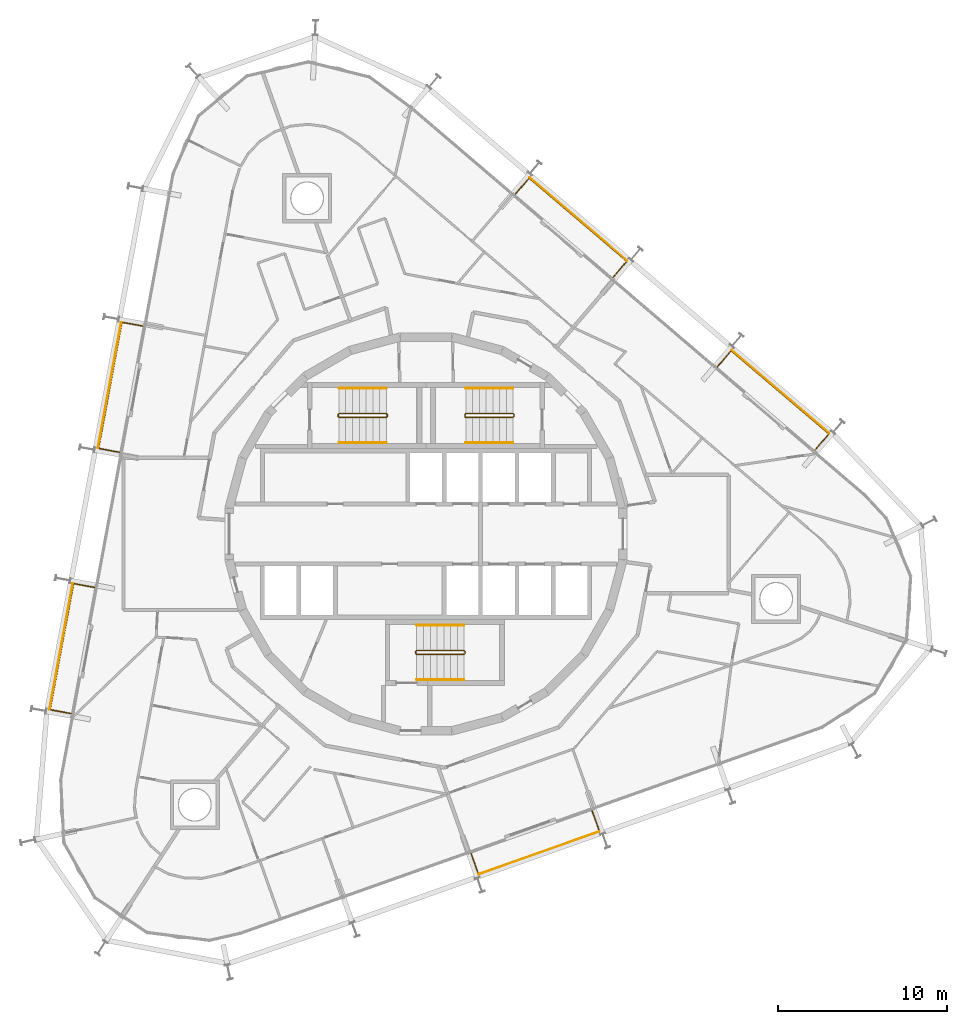
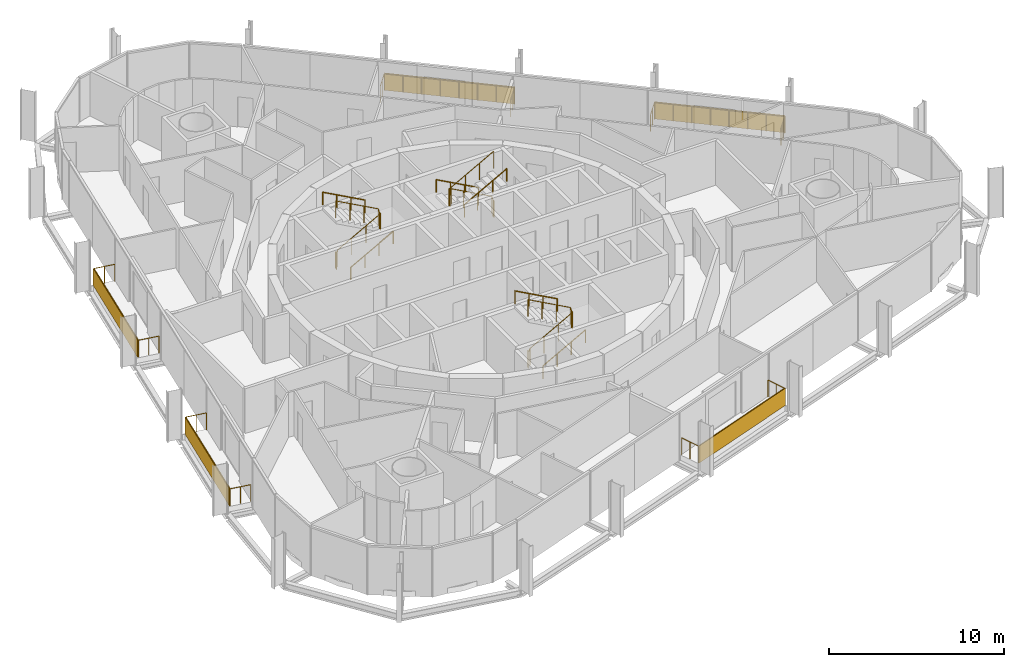
# One storey, part 17 of 17: 14 railings, 5 shading devices.
"""IFC4 building model written with IfcOpenShell, lengths in metres."""

import ifcopenshell
import ifcopenshell.guid

model = None  # the IFC model being written
_history = None  # IfcOwnerHistory: only IFC2X3 demands one
_inside = {}  # id of a spatial element -> (the spatial element, [elements in it])
_under = {}  # id of a project, library or spatial element -> (it, [spatial elements below it])
_declared = {}  # id of a project -> (the project, [libraries it declares])
_typed = {}  # id of a type object -> (the type object, [elements of that type])
_made_of = {}  # id of a material, layer set ... -> (it, [elements and type objects made of it])


def new_model(schema):
    """Start an empty IFC model of exactly this schema.

    Asked for "IFC4X3", IfcOpenShell would pick the latest addendum, in which some entities
    have other attributes; the version numbers below select the first issue.
    IFC2X3 requires an IfcOwnerHistory on every rooted entity: one is made here for all.
    """
    global model, _history
    if schema == "IFC4X3":
        model = ifcopenshell.file(schema_version=(4, 3, 0, 0))
    else:
        model = ifcopenshell.file(schema=schema)
    _inside.clear()
    _under.clear()
    _declared.clear()
    _typed.clear()
    _made_of.clear()
    _history = None
    if model.schema == "IFC2X3":
        org = make("IfcOrganization", Name="unknown")
        user = make(
            "IfcPersonAndOrganization",
            ThePerson=make("IfcPerson", FamilyName="unknown"),
            TheOrganization=org,
        )
        app = make(
            "IfcApplication",
            ApplicationDeveloper=org,
            Version="unknown",
            ApplicationFullName="unknown",
            ApplicationIdentifier="unknown",
        )
        _history = make(
            "IfcOwnerHistory",
            OwningUser=user,
            OwningApplication=app,
            ChangeAction="ADDED",
            CreationDate=0,
        )
    return model


def make(cls, **values):
    """One entity of the class cls with the attributes given. An attribute that is None is left unset."""
    return model.create_entity(
        cls, **{name: value for name, value in values.items() if value is not None}
    )


def rooted(cls, **values):
    """An entity with a GlobalId (a new one), such as an element, a storey or a relation."""
    return make(cls, GlobalId=ifcopenshell.guid.new(), OwnerHistory=_history, **values)


def si_unit(unit_type, name, prefix=None):
    """IfcSIUnit, for example si_unit("LENGTHUNIT", "METRE", prefix="MILLI")."""
    return make("IfcSIUnit", UnitType=unit_type, Prefix=prefix, Name=name)


def assignment(units):
    """IfcUnitAssignment: the units of a project."""
    return None if units is None else make("IfcUnitAssignment", Units=units)


def point(xyz):
    """IfcCartesianPoint."""
    return None if xyz is None else make("IfcCartesianPoint", Coordinates=xyz)


def direction(xyz):
    """IfcDirection."""
    return None if xyz is None else make("IfcDirection", DirectionRatios=xyz)


def frame(location, z_axis=None, x_axis=None):
    """IfcAxis2Placement3D, a coordinate frame: its origin and axes. An axis left out is left unset."""
    return make(
        "IfcAxis2Placement3D",
        Location=point(location),
        Axis=direction(z_axis),
        RefDirection=direction(x_axis),
    )


def frame_2d(location, x_axis=None):
    """IfcAxis2Placement2D, a coordinate frame in the plane: its origin and x axis."""
    return make(
        "IfcAxis2Placement2D", Location=point(location), RefDirection=direction(x_axis)
    )


def origin():
    """The frame at (0, 0, 0) with its axes left unset."""
    return frame((0.0, 0.0, 0.0))


def origin_2d():
    """The frame at (0, 0) in the plane with its x axis left unset."""
    return frame_2d((0.0, 0.0))


def place(relative_to, where):
    """IfcLocalPlacement: puts the frame where relative to a parent placement (None: the world)."""
    return make(
        "IfcLocalPlacement", PlacementRelTo=relative_to, RelativePlacement=where
    )


def context(
    kind, dimensions, precision=None, world=None, true_north=None, identifier=None
):
    """IfcGeometricRepresentationContext, for example the 3D "Model" context."""
    return make(
        "IfcGeometricRepresentationContext",
        ContextIdentifier=identifier,
        ContextType=kind,
        CoordinateSpaceDimension=dimensions,
        Precision=precision,
        WorldCoordinateSystem=world,
        TrueNorth=true_north,
    )


def subcontext(parent, identifier, kind, view, scale=None):
    """IfcGeometricRepresentationSubContext, for example "Body" below "Model"."""
    return make(
        "IfcGeometricRepresentationSubContext",
        ContextIdentifier=identifier,
        ContextType=kind,
        ParentContext=parent,
        TargetScale=scale,
        TargetView=view,
    )


def project(units=None, contexts=None):
    """IfcProject with its units and contexts."""
    return rooted(
        "IfcProject",
        Name="project",
        RepresentationContexts=contexts,
        UnitsInContext=assignment(units),
    )


def spatial(cls, under=None, at=None, **own):
    """A site, building, storey or space (cls), placed at a placement, below another one or the project."""
    s = rooted(cls, ObjectPlacement=at, **own)
    if under is not None:
        _under.setdefault(under.id(), (under, []))[1].append(s)
    return s


def profile(cls, at=None, kind="AREA", **sizes):
    """A parametric profile (cls). Its sizes go by their IFC names, for example OverallWidth=200.0."""
    return make(cls, ProfileType=kind, Position=at, **sizes)


def rectangle(**sizes):
    """IfcRectangleProfileDef."""
    return profile("IfcRectangleProfileDef", **sizes)


def circle(**sizes):
    """IfcCircleProfileDef."""
    return profile("IfcCircleProfileDef", **sizes)


def extrude(swept, where, along, depth):
    """IfcExtrudedAreaSolid: the profile swept, set in the frame where, extruded along a direction by depth."""
    return make(
        "IfcExtrudedAreaSolid",
        SweptArea=swept,
        Position=where,
        ExtrudedDirection=direction(along),
        Depth=depth,
    )


def shape(context_of_items, identifier, shape_type, items):
    """IfcShapeRepresentation: the items that make up one representation, for example the "Body"."""
    return make(
        "IfcShapeRepresentation",
        ContextOfItems=context_of_items,
        RepresentationIdentifier=identifier,
        RepresentationType=shape_type,
        Items=items,
    )


def material(Name=None, Category=None):
    """IfcMaterial."""
    return make("IfcMaterial", Name=Name, Category=Category)


def layer(
    of_material, thickness, ventilated=None, Name=None, Category=None, Priority=None
):
    """IfcMaterialLayer: one layer of a wall or slab, of a material (None: an air gap)."""
    return make(
        "IfcMaterialLayer",
        Material=of_material,
        LayerThickness=thickness,
        IsVentilated=ventilated,
        Name=Name,
        Category=Category,
        Priority=Priority,
    )


def layer_set(layers, Name=None):
    """IfcMaterialLayerSet."""
    return make("IfcMaterialLayerSet", MaterialLayers=layers, LayerSetName=Name)


def made_of(thing, what):
    """Note that an element or type object is made of a material, layer set ...; save() writes the relation."""
    if what is not None:
        _made_of.setdefault(what.id(), (what, []))[1].append(thing)
    return thing


def type_object(cls, material=None, **own):
    """A type object (cls), such as IfcWallType, which elements share."""
    return made_of(rooted(cls, **own), material)


def element(
    cls,
    number,
    at=None,
    inside=None,
    cuts=None,
    type_object=None,
    material=None,
    context=None,
    identifier="Body",
    shape_type=None,
    held_by="IfcProductDefinitionShape",
    body=None,
    shapes=None,
    **own,
):
    """One element of the class cls, such as IfcWall. Its Tag is "e" and its number.

    at: its placement. inside: the storey or other place that contains it. cuts: it is an
    opening in that element (IfcRelVoidsElement). A single representation is given by context,
    identifier, shape_type and body (its items); several are given by shapes. held_by: the class
    of the entity that holds the representations. save() writes the other relations.
    """
    e = rooted(cls, Tag="e%d" % number, ObjectPlacement=at, **own)
    if body is not None:
        shapes = [shape(context, identifier, shape_type, body)]
    if shapes is not None:
        e.Representation = make(held_by, Representations=shapes)
    if inside is not None:
        _inside.setdefault(inside.id(), (inside, []))[1].append(e)
    if cuts is not None:
        rooted(
            "IfcRelVoidsElement", RelatingBuildingElement=cuts, RelatedOpeningElement=e
        )
    if type_object is not None:
        _typed.setdefault(type_object.id(), (type_object, []))[1].append(e)
    return made_of(e, material)


def aggregate(whole, parts):
    """IfcRelAggregates: a whole, such as a stair, and the parts it consists of."""
    return rooted("IfcRelAggregates", RelatingObject=whole, RelatedObjects=parts)


def save(model, path):
    """Write the relations noted so far, then the file.

    IfcRelAggregates (storeys below a building ...), IfcRelContainedInSpatialStructure (elements
    in a storey), IfcRelDefinesByType, IfcRelAssociatesMaterial and IfcRelDeclares: one each for
    every whole, place, type object, material and project.
    """
    for whole, parts in _under.values():
        aggregate(whole, parts)
    for where, things in _inside.values():
        rooted(
            "IfcRelContainedInSpatialStructure",
            RelatedElements=things,
            RelatingStructure=where,
        )
    for kind, things in _typed.values():
        rooted("IfcRelDefinesByType", RelatedObjects=things, RelatingType=kind)
    for what, things in _made_of.values():
        rooted("IfcRelAssociatesMaterial", RelatedObjects=things, RelatingMaterial=what)
    for by, libraries in _declared.values():
        rooted("IfcRelDeclares", RelatingContext=by, RelatedDefinitions=libraries)
    model.write(path)


model = new_model("IFC4")

# Units and contexts
model_context = context("Model", 3, precision=1e-05, world=origin(), true_north=direction((0.0, 1.0)))
body_context = subcontext(model_context, "Body", "Model", "MODEL_VIEW")
ifc_project = project(units=[si_unit("LENGTHUNIT", "METRE"), si_unit("AREAUNIT", "SQUARE_METRE"), si_unit("VOLUMEUNIT", "CUBIC_METRE"), si_unit("PLANEANGLEUNIT", "RADIAN"), si_unit("MASSUNIT", "GRAM", prefix="KILO")], contexts=[model_context])

# Site, building, storey
site_placement = place(None, origin())
site = spatial("IfcSite", under=ifc_project, at=site_placement, CompositionType="ELEMENT")
building_placement = place(site_placement, origin())
building = spatial("IfcBuilding", under=site, at=building_placement, Name="Spindle Arch Residences", CompositionType="ELEMENT")
storey_placement = place(building_placement, frame((0.0, 0.0, 176.199951171875)))
storey = spatial("IfcBuildingStorey", under=building, at=storey_placement, Name="L44", CompositionType="ELEMENT", Elevation=176.199951171875)

# Railings
ifc_material_1 = material(Name="Bronze anodised aluminium guard with glass infill", Category="aluminium")
railing_type_1 = type_object("IfcRailingType", Name="Balcony guard 1200", PredefinedType="GUARDRAIL", material=ifc_material_1)
railing_1_placement = place(storey_placement, frame((23.014404296875, 4.966064453125, 0.0)))
element("IfcRailing", 1, at=railing_1_placement, inside=storey, type_object=railing_type_1, Name="Guard L44 bay 6", PredefinedType="GUARDRAIL", context=body_context, shape_type="SweptSolid", body=[
    extrude(circle(Radius=0.02392578125, at=origin_2d()), frame((0.0, 0.0, 1.17578125), z_axis=(0.64956818112, 0.760303346091, 0.0), x_axis=(-0.760303346091, 0.64956818112, 0.0)), (0.0, 0.0, 1.0), 1.25),
    extrude(circle(Radius=0.02392578125, at=origin_2d()), frame((0.81201171875, 0.950439453125, 1.17578125), z_axis=(-0.760411072194, 0.64944206923, 0.0), x_axis=(-0.64944206923, -0.760411072194, 0.0)), (0.0, 0.0, 1.0), 7.59033203125),
    extrude(circle(Radius=0.02392578125, at=origin_2d()), frame((-4.959716796875, 5.8798828125, 1.17578125), z_axis=(-0.64945526422, -0.760399802589, 0.0), x_axis=(0.760399802589, -0.64945526422, 0.0)), (0.0, 0.0, 1.0), 1.25),
    extrude(circle(Radius=0.02099609375, at=origin_2d()), origin(), (0.0, 0.0, 1.0), 1.15185546875),
    extrude(circle(Radius=0.02099609375, at=origin_2d()), frame((0.406005859375, 0.47509765625, 0.0)), (0.0, 0.0, 1.0), 1.15185546875),
    extrude(circle(Radius=0.02099609375, at=origin_2d()), frame((0.81201171875, 0.950439453125, 0.0)), (0.0, 0.0, 1.0), 1.15185546875),
    extrude(circle(Radius=0.02099609375, at=origin_2d()), frame((-0.012451171875, 1.654541015625, 0.0)), (0.0, 0.0, 1.0), 1.15185546875),
    extrude(circle(Radius=0.02099609375, at=origin_2d()), frame((-0.837158203125, 2.35888671875, 0.0)), (0.0, 0.0, 1.0), 1.15185546875),
    extrude(circle(Radius=0.02099609375, at=origin_2d()), frame((-1.66162109375, 3.06298828125, 0.0)), (0.0, 0.0, 1.0), 1.15185546875),
    extrude(circle(Radius=0.02099609375, at=origin_2d()), frame((-2.486083984375, 3.767333984375, 0.0)), (0.0, 0.0, 1.0), 1.15185546875),
    extrude(circle(Radius=0.02099609375, at=origin_2d()), frame((-3.310546875, 4.471435546875, 0.0)), (0.0, 0.0, 1.0), 1.15185546875),
    extrude(circle(Radius=0.02099609375, at=origin_2d()), frame((-4.13525390625, 5.17578125, 0.0)), (0.0, 0.0, 1.0), 1.15185546875),
    extrude(circle(Radius=0.02099609375, at=origin_2d()), frame((-4.959716796875, 5.8798828125, 0.0)), (0.0, 0.0, 1.0), 1.15185546875),
    extrude(circle(Radius=0.02099609375, at=origin_2d()), frame((-5.36572265625, 5.40478515625, 0.0)), (0.0, 0.0, 1.0), 1.15185546875),
    extrude(circle(Radius=0.02099609375, at=origin_2d()), frame((-5.771484375, 4.929443359375, 0.0)), (0.0, 0.0, 1.0), 1.15185546875),
])
railing_2_placement = place(storey_placement, frame((11.060791015625, 15.175537109375, 0.0)))
element("IfcRailing", 2, at=railing_2_placement, inside=storey, type_object=railing_type_1, Name="Guard L44 bay 8", PredefinedType="GUARDRAIL", context=body_context, shape_type="SweptSolid", body=[
    extrude(circle(Radius=0.02392578125, at=origin_2d()), frame((0.0, 0.0, 1.17578125), z_axis=(0.64945526422, 0.760399802589, 0.0), x_axis=(-0.760399802589, 0.64945526422, 0.0)), (0.0, 0.0, 1.0), 1.25),
    extrude(circle(Radius=0.02392578125, at=origin_2d()), frame((0.811767578125, 0.950439453125, 1.17578125), z_axis=(-0.760397505333, 0.649457953899, 0.0), x_axis=(-0.649457953899, -0.760397505333, 0.0)), (0.0, 0.0, 1.0), 7.590087890625),
    extrude(circle(Radius=0.02392578125, at=origin_2d()), frame((-4.959716796875, 5.8798828125, 1.17578125), z_axis=(-0.64945526422, -0.760399802589, 0.0), x_axis=(0.760399802589, -0.64945526422, 0.0)), (0.0, 0.0, 1.0), 1.25),
    extrude(circle(Radius=0.02099609375, at=origin_2d()), origin(), (0.0, 0.0, 1.0), 1.15185546875),
    extrude(circle(Radius=0.02099609375, at=origin_2d()), frame((0.40576171875, 0.47509765625, 0.0)), (0.0, 0.0, 1.0), 1.15185546875),
    extrude(circle(Radius=0.02099609375, at=origin_2d()), frame((0.811767578125, 0.950439453125, 0.0)), (0.0, 0.0, 1.0), 1.15185546875),
    extrude(circle(Radius=0.02099609375, at=origin_2d()), frame((-0.0126953125, 1.654541015625, 0.0)), (0.0, 0.0, 1.0), 1.15185546875),
    extrude(circle(Radius=0.02099609375, at=origin_2d()), frame((-0.837158203125, 2.35888671875, 0.0)), (0.0, 0.0, 1.0), 1.15185546875),
    extrude(circle(Radius=0.02099609375, at=origin_2d()), frame((-1.66162109375, 3.06298828125, 0.0)), (0.0, 0.0, 1.0), 1.15185546875),
    extrude(circle(Radius=0.02099609375, at=origin_2d()), frame((-2.486328125, 3.767333984375, 0.0)), (0.0, 0.0, 1.0), 1.15185546875),
    extrude(circle(Radius=0.02099609375, at=origin_2d()), frame((-3.310791015625, 4.471435546875, 0.0)), (0.0, 0.0, 1.0), 1.15185546875),
    extrude(circle(Radius=0.02099609375, at=origin_2d()), frame((-4.13525390625, 5.17578125, 0.0)), (0.0, 0.0, 1.0), 1.15185546875),
    extrude(circle(Radius=0.02099609375, at=origin_2d()), frame((-4.959716796875, 5.8798828125, 0.0)), (0.0, 0.0, 1.0), 1.15185546875),
    extrude(circle(Radius=0.02099609375, at=origin_2d()), frame((-5.36572265625, 5.40478515625, 0.0)), (0.0, 0.0, 1.0), 1.15185546875),
    extrude(circle(Radius=0.02099609375, at=origin_2d()), frame((-5.771484375, 4.929443359375, 0.0)), (0.0, 0.0, 1.0), 1.15185546875),
])
railing_3_placement = place(storey_placement, frame((-16.762939453125, 12.2958984375, 0.0)))
element("IfcRailing", 3, at=railing_3_placement, inside=storey, type_object=railing_type_1, Name="Guard L44 bay 14", PredefinedType="GUARDRAIL", context=body_context, shape_type="SweptSolid", body=[
    extrude(circle(Radius=0.02392578125, at=origin_2d()), frame((0.0, 0.0, 1.17578125), z_axis=(-0.983254793894, 0.182236138797, 0.0), x_axis=(-0.182236138797, -0.983254793894, 0.0)), (0.0, 0.0, 1.0), 1.25),
    extrude(circle(Radius=0.02392578125, at=origin_2d()), frame((-1.22900390625, 0.227783203125, 1.17578125), z_axis=(-0.18224705418, -0.983252770778, 0.0), x_axis=(0.983252770778, -0.18224705418, 0.0)), (0.0, 0.0, 1.0), 7.59033203125),
    extrude(circle(Radius=0.02392578125, at=origin_2d()), frame((-2.6123046875, -7.2353515625, 1.17578125), z_axis=(0.983261278697, -0.182201146579, 0.0), x_axis=(0.182201146579, 0.983261278697, 0.0)), (0.0, 0.0, 1.0), 1.250244140625),
    extrude(circle(Radius=0.02099609375, at=origin_2d()), origin(), (0.0, 0.0, 1.0), 1.15185546875),
    extrude(circle(Radius=0.02099609375, at=origin_2d()), frame((-0.614501953125, 0.11376953125, 0.0)), (0.0, 0.0, 1.0), 1.15185546875),
    extrude(circle(Radius=0.02099609375, at=origin_2d()), frame((-1.22900390625, 0.227783203125, 0.0)), (0.0, 0.0, 1.0), 1.15185546875),
    extrude(circle(Radius=0.02099609375, at=origin_2d()), frame((-1.426513671875, -0.83837890625, 0.0)), (0.0, 0.0, 1.0), 1.15185546875),
    extrude(circle(Radius=0.02099609375, at=origin_2d()), frame((-1.624267578125, -1.904541015625, 0.0)), (0.0, 0.0, 1.0), 1.15185546875),
    extrude(circle(Radius=0.02099609375, at=origin_2d()), frame((-1.82177734375, -2.970703125, 0.0)), (0.0, 0.0, 1.0), 1.15185546875),
    extrude(circle(Radius=0.02099609375, at=origin_2d()), frame((-2.01953125, -4.036865234375, 0.0)), (0.0, 0.0, 1.0), 1.15185546875),
    extrude(circle(Radius=0.02099609375, at=origin_2d()), frame((-2.217041015625, -5.10302734375, 0.0)), (0.0, 0.0, 1.0), 1.15185546875),
    extrude(circle(Radius=0.02099609375, at=origin_2d()), frame((-2.414794921875, -6.169189453125, 0.0)), (0.0, 0.0, 1.0), 1.15185546875),
    extrude(circle(Radius=0.02099609375, at=origin_2d()), frame((-2.6123046875, -7.2353515625, 0.0)), (0.0, 0.0, 1.0), 1.15185546875),
    extrude(circle(Radius=0.02099609375, at=origin_2d()), frame((-1.99755859375, -7.34912109375, 0.0)), (0.0, 0.0, 1.0), 1.15185546875),
    extrude(circle(Radius=0.02099609375, at=origin_2d()), frame((-1.383056640625, -7.463134765625, 0.0)), (0.0, 0.0, 1.0), 1.15185546875),
])
railing_4_placement = place(storey_placement, frame((-19.627685546875, -3.1611328125, 0.0)))
element("IfcRailing", 4, at=railing_4_placement, inside=storey, type_object=railing_type_1, Name="Guard L44 bay 16", PredefinedType="GUARDRAIL", context=body_context, shape_type="SweptSolid", body=[
    extrude(circle(Radius=0.02392578125, at=origin_2d()), frame((0.0, 0.0, 1.17578125), z_axis=(-0.983254793894, 0.182236138797, 0.0), x_axis=(-0.182236138797, -0.983254793894, 0.0)), (0.0, 0.0, 1.0), 1.25),
    extrude(circle(Radius=0.02392578125, at=origin_2d()), frame((-1.22900390625, 0.227783203125, 1.17578125), z_axis=(-0.182252818169, -0.983251702398, 0.0), x_axis=(0.983251702398, -0.182252818169, 0.0)), (0.0, 0.0, 1.0), 7.590087890625),
    extrude(circle(Radius=0.02392578125, at=origin_2d()), frame((-2.6123046875, -7.235107421875, 1.17578125), z_axis=(0.983254793894, -0.182236138797, 0.0), x_axis=(0.182236138797, 0.983254793894, 0.0)), (0.0, 0.0, 1.0), 1.25),
    extrude(circle(Radius=0.02099609375, at=origin_2d()), origin(), (0.0, 0.0, 1.0), 1.15185546875),
    extrude(circle(Radius=0.02099609375, at=origin_2d()), frame((-0.614501953125, 0.11376953125, 0.0)), (0.0, 0.0, 1.0), 1.15185546875),
    extrude(circle(Radius=0.02099609375, at=origin_2d()), frame((-1.22900390625, 0.227783203125, 0.0)), (0.0, 0.0, 1.0), 1.15185546875),
    extrude(circle(Radius=0.02099609375, at=origin_2d()), frame((-1.426513671875, -0.83837890625, 0.0)), (0.0, 0.0, 1.0), 1.15185546875),
    extrude(circle(Radius=0.02099609375, at=origin_2d()), frame((-1.624267578125, -1.904541015625, 0.0)), (0.0, 0.0, 1.0), 1.15185546875),
    extrude(circle(Radius=0.02099609375, at=origin_2d()), frame((-1.82177734375, -2.970703125, 0.0)), (0.0, 0.0, 1.0), 1.15185546875),
    extrude(circle(Radius=0.02099609375, at=origin_2d()), frame((-2.01953125, -4.03662109375, 0.0)), (0.0, 0.0, 1.0), 1.15185546875),
    extrude(circle(Radius=0.02099609375, at=origin_2d()), frame((-2.217041015625, -5.102783203125, 0.0)), (0.0, 0.0, 1.0), 1.15185546875),
    extrude(circle(Radius=0.02099609375, at=origin_2d()), frame((-2.414794921875, -6.1689453125, 0.0)), (0.0, 0.0, 1.0), 1.15185546875),
    extrude(circle(Radius=0.02099609375, at=origin_2d()), frame((-2.6123046875, -7.235107421875, 0.0)), (0.0, 0.0, 1.0), 1.15185546875),
    extrude(circle(Radius=0.02099609375, at=origin_2d()), frame((-1.997802734375, -7.34912109375, 0.0)), (0.0, 0.0, 1.0), 1.15185546875),
    extrude(circle(Radius=0.02099609375, at=origin_2d()), frame((-1.38330078125, -7.462890625, 0.0)), (0.0, 0.0, 1.0), 1.15185546875),
])
railing_5_placement = place(storey_placement, frame((2.672607421875, -18.915771484375, 0.0)))
element("IfcRailing", 5, at=railing_5_placement, inside=storey, type_object=railing_type_1, Name="Guard L44 bay 22", PredefinedType="GUARDRAIL", context=body_context, shape_type="SweptSolid", body=[
    extrude(circle(Radius=0.02392578125, at=origin_2d()), frame((0.0, 0.0, 1.17578125), z_axis=(0.333749533427, -0.942661789263, 0.0), x_axis=(0.942661789263, 0.333749533427, 0.0)), (0.0, 0.0, 1.0), 1.250244140625),
    extrude(circle(Radius=0.02392578125, at=origin_2d()), frame((0.417236328125, -1.178466796875, 1.17578125), z_axis=(0.942635871189, 0.333822728927, 0.0), x_axis=(-0.333822728927, 0.942635871189, 0.0)), (0.0, 0.0, 1.0), 7.58984375),
    extrude(circle(Radius=0.02392578125, at=origin_2d()), frame((7.57177734375, 1.355224609375, 1.17578125), z_axis=(-0.333810984592, 0.942640030216, 0.0), x_axis=(-0.942640030216, -0.333810984592, 0.0)), (0.0, 0.0, 1.0), 1.25),
    extrude(circle(Radius=0.02099609375, at=origin_2d()), origin(), (0.0, 0.0, 1.0), 1.15185546875),
    extrude(circle(Radius=0.02099609375, at=origin_2d()), frame((0.20849609375, -0.58935546875, 0.0)), (0.0, 0.0, 1.0), 1.15185546875),
    extrude(circle(Radius=0.02099609375, at=origin_2d()), frame((0.417236328125, -1.178466796875, 0.0)), (0.0, 0.0, 1.0), 1.15185546875),
    extrude(circle(Radius=0.02099609375, at=origin_2d()), frame((1.439208984375, -0.81640625, 0.0)), (0.0, 0.0, 1.0), 1.15185546875),
    extrude(circle(Radius=0.02099609375, at=origin_2d()), frame((2.46142578125, -0.45458984375, 0.0)), (0.0, 0.0, 1.0), 1.15185546875),
    extrude(circle(Radius=0.02099609375, at=origin_2d()), frame((3.4833984375, -0.092529296875, 0.0)), (0.0, 0.0, 1.0), 1.15185546875),
    extrude(circle(Radius=0.02099609375, at=origin_2d()), frame((4.505615234375, 0.269287109375, 0.0)), (0.0, 0.0, 1.0), 1.15185546875),
    extrude(circle(Radius=0.02099609375, at=origin_2d()), frame((5.527587890625, 0.63134765625, 0.0)), (0.0, 0.0, 1.0), 1.15185546875),
    extrude(circle(Radius=0.02099609375, at=origin_2d()), frame((6.5498046875, 0.9931640625, 0.0)), (0.0, 0.0, 1.0), 1.15185546875),
    extrude(circle(Radius=0.02099609375, at=origin_2d()), frame((7.57177734375, 1.355224609375, 0.0)), (0.0, 0.0, 1.0), 1.15185546875),
    extrude(circle(Radius=0.02099609375, at=origin_2d()), frame((7.36328125, 1.9443359375, 0.0)), (0.0, 0.0, 1.0), 1.15185546875),
    extrude(circle(Radius=0.02099609375, at=origin_2d()), frame((7.154541015625, 2.533447265625, 0.0)), (0.0, 0.0, 1.0), 1.15185546875),
])

# Shading devices
ifc_material_2 = material(Name="Bronze perforated cobogo screen")
ifc_layer = layer(ifc_material_2, 0.0390625)
ifc_layer_set = layer_set([ifc_layer], Name="Cobogo screen 1200")
shading_device_type = type_object("IfcShadingDeviceType", Name="Cobogo screen 1200", PredefinedType="USERDEFINED", material=ifc_layer_set)
for number, where, z_axis, x_axis, name in (
    (6, (20.966796875, 8.412109375, 0.0), (0.0, 0.0, 1.0), (-0.7604059656, 0.64944804833, 0.0), "Cobogo screen L44 bay 6"),
    (7, (9.01318359375, 18.62158203125, 0.0), (0.0, 0.0, 1.0), (-0.7604059656, 0.64944804833, 0.0), "Cobogo screen L44 bay 8"),
    (8, (-18.723388671875, 8.799560546875, 0.0), (0.0, 0.0, 1.0), (-0.182235525492, -0.983254907564, 0.0), "Cobogo screen L44 bay 14"),
    (9, (-21.588134765625, -6.657470703125, 0.0), (0.0, 0.0, 1.0), (-0.182235525492, -0.983254907564, 0.0), "Cobogo screen L44 bay 16"),
    (10, (6.6806640625, -18.865478515625, 0.0), (0.0, 0.0, 1.0), (0.942641491092, 0.333806859234, 0.0), "Cobogo screen L44 bay 22"),
):
    element("IfcShadingDevice", number, at=place(storey_placement, frame(where, z_axis=z_axis, x_axis=x_axis)), inside=storey, type_object=shading_device_type, Name=name, ObjectType="SCREEN", PredefinedType="USERDEFINED", context=body_context, shape_type="SweptSolid", body=[
        extrude(rectangle(XDim=7.590087890625, YDim=0.0390625, at=origin_2d()), origin(), (0.0, 0.0, 1.0), 1.199951171875),
    ])

# Railings
ifc_material_3 = material(Name="Steel, painted", Category="steel")
railing_type_2 = type_object("IfcRailingType", Name="Stair guard 1100", PredefinedType="GUARDRAIL", material=ifc_material_3)
railing_6_placement = place(storey_placement, frame((5.14990234375, 6.89990234375, 3.5)))
element("IfcRailing", 11, at=railing_6_placement, inside=storey, type_object=railing_type_2, Name="L44 ST1 stair guard 1", PredefinedType="GUARDRAIL", context=body_context, shape_type="SweptSolid", body=[
    extrude(circle(Radius=0.02392578125, at=origin_2d()), frame((0.0, 0.0, 1.17578125), z_axis=(-0.877357048833, 0.0, -0.479838106931), x_axis=(0.0, -1.0, 0.0)), (0.0, 0.0, 1.0), 3.191162109375),
    extrude(circle(Radius=0.02392578125, at=origin_2d()), frame((-2.7998046875, 0.0, -0.35546875), z_axis=(-0.217683172539, 0.217683172539, -0.951434744366), x_axis=(-0.707106781187, -0.707106781187, 0.0)), (0.0, 0.0, 1.0), 0.22998046875),
    extrude(circle(Radius=0.02392578125, at=origin_2d()), frame((-2.849853515625, 0.050048828125, -0.57421875), z_axis=(0.0, 1.0, 0.0), x_axis=(-1.0, 0.0, 0.0)), (0.0, 0.0, 1.0), 0.1201171875),
    extrude(circle(Radius=0.02392578125, at=origin_2d()), frame((-2.849853515625, 0.170166015625, -0.57421875), z_axis=(0.707106781187, 0.707106781187, 0.0), x_axis=(-0.707106781187, 0.707106781187, 0.0)), (0.0, 0.0, 1.0), 0.07080078125),
    extrude(circle(Radius=0.02392578125, at=origin_2d()), frame((-2.7998046875, 0.22021484375, -0.57421875), z_axis=(0.877357048833, 0.0, -0.479838106931), x_axis=(0.0, 1.0, 0.0)), (0.0, 0.0, 1.0), 3.191162109375),
    extrude(circle(Radius=0.02392578125, at=origin_2d()), frame((0.0, 0.22021484375, -2.10546875), z_axis=(0.217683172539, -0.217683172539, -0.951434744366), x_axis=(0.707106781187, 0.707106781187, 0.0)), (0.0, 0.0, 1.0), 0.22998046875),
    extrude(circle(Radius=0.02392578125, at=origin_2d()), frame((0.050048828125, 0.170166015625, -2.32421875), z_axis=(0.0, -1.0, 0.0), x_axis=(1.0, 0.0, 0.0)), (0.0, 0.0, 1.0), 0.1201171875),
    extrude(circle(Radius=0.02099609375, at=origin_2d()), origin(), (0.0, 0.0, 1.0), 1.15185546875),
    extrude(circle(Radius=0.02099609375, at=origin_2d()), frame((-0.933349609375, 0.0, -0.510498046875)), (0.0, 0.0, 1.0), 1.15185546875),
    extrude(circle(Radius=0.02099609375, at=origin_2d()), frame((-1.866455078125, 0.0, -1.020751953125)), (0.0, 0.0, 1.0), 1.15185546875),
    extrude(circle(Radius=0.02099609375, at=origin_2d()), frame((-2.7998046875, 0.0, -1.53125)), (0.0, 0.0, 1.0), 1.15185546875),
    extrude(circle(Radius=0.02099609375, at=origin_2d()), frame((-2.849853515625, 0.050048828125, -1.75)), (0.0, 0.0, 1.0), 1.15185546875),
    extrude(circle(Radius=0.02099609375, at=origin_2d()), frame((-2.849853515625, 0.170166015625, -1.75)), (0.0, 0.0, 1.0), 1.15185546875),
    extrude(circle(Radius=0.02099609375, at=origin_2d()), frame((-2.7998046875, 0.22021484375, -1.75)), (0.0, 0.0, 1.0), 1.15185546875),
    extrude(circle(Radius=0.02099609375, at=origin_2d()), frame((-1.866455078125, 0.22021484375, -2.260498046875)), (0.0, 0.0, 1.0), 1.15185546875),
    extrude(circle(Radius=0.02099609375, at=origin_2d()), frame((-0.933349609375, 0.22021484375, -2.770751953125)), (0.0, 0.0, 1.0), 1.15185546875),
    extrude(circle(Radius=0.02099609375, at=origin_2d()), frame((0.0, 0.22021484375, -3.28125)), (0.0, 0.0, 1.0), 1.15185546875),
    extrude(circle(Radius=0.02099609375, at=origin_2d()), frame((0.050048828125, 0.170166015625, -3.5)), (0.0, 0.0, 1.0), 1.15185546875),
    extrude(circle(Radius=0.02099609375, at=origin_2d()), frame((0.050048828125, 0.050048828125, -3.5)), (0.0, 0.0, 1.0), 1.15185546875),
])
railing_7_placement = place(storey_placement, frame((-5.14990234375, 7.1201171875, 3.5)))
element("IfcRailing", 12, at=railing_7_placement, inside=storey, type_object=railing_type_2, Name="L44 ST2 stair guard 1", PredefinedType="GUARDRAIL", context=body_context, shape_type="SweptSolid", body=[
    extrude(circle(Radius=0.02392578125, at=origin_2d()), frame((0.0, 0.0, 1.17578125), z_axis=(0.877357048833, 0.0, -0.479838106931), x_axis=(0.0, 1.0, 0.0)), (0.0, 0.0, 1.0), 3.191162109375),
    extrude(circle(Radius=0.02392578125, at=origin_2d()), frame((2.7998046875, 0.0, -0.35546875), z_axis=(0.217683172539, -0.217683172539, -0.951434744366), x_axis=(0.707106781187, 0.707106781187, 0.0)), (0.0, 0.0, 1.0), 0.22998046875),
    extrude(circle(Radius=0.02392578125, at=origin_2d()), frame((2.849853515625, -0.050048828125, -0.57421875), z_axis=(0.0, -1.0, 0.0), x_axis=(1.0, 0.0, 0.0)), (0.0, 0.0, 1.0), 0.1201171875),
    extrude(circle(Radius=0.02392578125, at=origin_2d()), frame((2.849853515625, -0.170166015625, -0.57421875), z_axis=(-0.707106781187, -0.707106781187, 0.0), x_axis=(0.707106781187, -0.707106781187, 0.0)), (0.0, 0.0, 1.0), 0.07080078125),
    extrude(circle(Radius=0.02392578125, at=origin_2d()), frame((2.7998046875, -0.22021484375, -0.57421875), z_axis=(-0.877357048833, 0.0, -0.479838106931), x_axis=(0.0, -1.0, 0.0)), (0.0, 0.0, 1.0), 3.191162109375),
    extrude(circle(Radius=0.02392578125, at=origin_2d()), frame((0.0, -0.22021484375, -2.10546875), z_axis=(-0.217683172539, 0.217683172539, -0.951434744366), x_axis=(-0.707106781187, -0.707106781187, 0.0)), (0.0, 0.0, 1.0), 0.22998046875),
    extrude(circle(Radius=0.02392578125, at=origin_2d()), frame((-0.050048828125, -0.170166015625, -2.32421875), z_axis=(0.0, 1.0, 0.0), x_axis=(-1.0, 0.0, 0.0)), (0.0, 0.0, 1.0), 0.1201171875),
    extrude(circle(Radius=0.02099609375, at=origin_2d()), origin(), (0.0, 0.0, 1.0), 1.15185546875),
    extrude(circle(Radius=0.02099609375, at=origin_2d()), frame((0.933349609375, 0.0, -0.510498046875)), (0.0, 0.0, 1.0), 1.15185546875),
    extrude(circle(Radius=0.02099609375, at=origin_2d()), frame((1.866455078125, 0.0, -1.020751953125)), (0.0, 0.0, 1.0), 1.15185546875),
    extrude(circle(Radius=0.02099609375, at=origin_2d()), frame((2.7998046875, 0.0, -1.53125)), (0.0, 0.0, 1.0), 1.15185546875),
    extrude(circle(Radius=0.02099609375, at=origin_2d()), frame((2.849853515625, -0.050048828125, -1.75)), (0.0, 0.0, 1.0), 1.15185546875),
    extrude(circle(Radius=0.02099609375, at=origin_2d()), frame((2.849853515625, -0.170166015625, -1.75)), (0.0, 0.0, 1.0), 1.15185546875),
    extrude(circle(Radius=0.02099609375, at=origin_2d()), frame((2.7998046875, -0.22021484375, -1.75)), (0.0, 0.0, 1.0), 1.15185546875),
    extrude(circle(Radius=0.02099609375, at=origin_2d()), frame((1.866455078125, -0.22021484375, -2.260498046875)), (0.0, 0.0, 1.0), 1.15185546875),
    extrude(circle(Radius=0.02099609375, at=origin_2d()), frame((0.933349609375, -0.22021484375, -2.770751953125)), (0.0, 0.0, 1.0), 1.15185546875),
    extrude(circle(Radius=0.02099609375, at=origin_2d()), frame((0.0, -0.22021484375, -3.28125)), (0.0, 0.0, 1.0), 1.15185546875),
    extrude(circle(Radius=0.02099609375, at=origin_2d()), frame((-0.050048828125, -0.170166015625, -3.5)), (0.0, 0.0, 1.0), 1.15185546875),
    extrude(circle(Radius=0.02099609375, at=origin_2d()), frame((-0.050048828125, -0.050048828125, -3.5)), (0.0, 0.0, 1.0), 1.15185546875),
])
railing_8_placement = place(storey_placement, frame((-0.550048828125, -6.89990234375, 3.5)))
element("IfcRailing", 13, at=railing_8_placement, inside=storey, type_object=railing_type_2, Name="L44 ST3 stair guard 1", PredefinedType="GUARDRAIL", context=body_context, shape_type="SweptSolid", body=[
    extrude(circle(Radius=0.02392578125, at=origin_2d()), frame((0.0, 0.0, 1.17578125), z_axis=(0.877374661878, 0.0, -0.479805901063), x_axis=(0.0, 1.0, 0.0)), (0.0, 0.0, 1.0), 3.19140625),
    extrude(circle(Radius=0.02392578125, at=origin_2d()), frame((2.800048828125, 0.0, -0.35546875), z_axis=(0.217683172539, -0.217683172539, -0.951434744366), x_axis=(0.707106781187, 0.707106781187, 0.0)), (0.0, 0.0, 1.0), 0.22998046875),
    extrude(circle(Radius=0.02392578125, at=origin_2d()), frame((2.85009765625, -0.050048828125, -0.57421875), z_axis=(0.0, -1.0, 0.0), x_axis=(1.0, 0.0, 0.0)), (0.0, 0.0, 1.0), 0.1201171875),
    extrude(circle(Radius=0.02392578125, at=origin_2d()), frame((2.85009765625, -0.170166015625, -0.57421875), z_axis=(-0.707106781187, -0.707106781187, 0.0), x_axis=(0.707106781187, -0.707106781187, 0.0)), (0.0, 0.0, 1.0), 0.07080078125),
    extrude(circle(Radius=0.02392578125, at=origin_2d()), frame((2.800048828125, -0.22021484375, -0.57421875), z_axis=(-0.877374661878, 0.0, -0.479805901063), x_axis=(0.0, -1.0, 0.0)), (0.0, 0.0, 1.0), 3.19140625),
    extrude(circle(Radius=0.02392578125, at=origin_2d()), frame((0.0, -0.22021484375, -2.10546875), z_axis=(-0.217683172539, 0.217683172539, -0.951434744366), x_axis=(-0.707106781187, -0.707106781187, 0.0)), (0.0, 0.0, 1.0), 0.22998046875),
    extrude(circle(Radius=0.02392578125, at=origin_2d()), frame((-0.050048828125, -0.170166015625, -2.32421875), z_axis=(0.0, 1.0, 0.0), x_axis=(-1.0, 0.0, 0.0)), (0.0, 0.0, 1.0), 0.1201171875),
    extrude(circle(Radius=0.02099609375, at=origin_2d()), origin(), (0.0, 0.0, 1.0), 1.15185546875),
    extrude(circle(Radius=0.02099609375, at=origin_2d()), frame((0.933349609375, 0.0, -0.510498046875)), (0.0, 0.0, 1.0), 1.15185546875),
    extrude(circle(Radius=0.02099609375, at=origin_2d()), frame((1.86669921875, 0.0, -1.020751953125)), (0.0, 0.0, 1.0), 1.15185546875),
    extrude(circle(Radius=0.02099609375, at=origin_2d()), frame((2.800048828125, 0.0, -1.53125)), (0.0, 0.0, 1.0), 1.15185546875),
    extrude(circle(Radius=0.02099609375, at=origin_2d()), frame((2.85009765625, -0.050048828125, -1.75)), (0.0, 0.0, 1.0), 1.15185546875),
    extrude(circle(Radius=0.02099609375, at=origin_2d()), frame((2.85009765625, -0.170166015625, -1.75)), (0.0, 0.0, 1.0), 1.15185546875),
    extrude(circle(Radius=0.02099609375, at=origin_2d()), frame((2.800048828125, -0.22021484375, -1.75)), (0.0, 0.0, 1.0), 1.15185546875),
    extrude(circle(Radius=0.02099609375, at=origin_2d()), frame((1.86669921875, -0.22021484375, -2.260498046875)), (0.0, 0.0, 1.0), 1.15185546875),
    extrude(circle(Radius=0.02099609375, at=origin_2d()), frame((0.933349609375, -0.22021484375, -2.770751953125)), (0.0, 0.0, 1.0), 1.15185546875),
    extrude(circle(Radius=0.02099609375, at=origin_2d()), frame((0.0, -0.22021484375, -3.28125)), (0.0, 0.0, 1.0), 1.15185546875),
    extrude(circle(Radius=0.02099609375, at=origin_2d()), frame((-0.050048828125, -0.170166015625, -3.5)), (0.0, 0.0, 1.0), 1.15185546875),
    extrude(circle(Radius=0.02099609375, at=origin_2d()), frame((-0.050048828125, -0.050048828125, -3.5)), (0.0, 0.0, 1.0), 1.15185546875),
])
ifc_material_4 = material(Name="Steel, painted", Category="steel")
railing_type_3 = type_object("IfcRailingType", Name="Stair handrail 900", PredefinedType="HANDRAIL", material=ifc_material_4)
railing_9_placement = place(storey_placement, frame((5.14990234375, 8.6201171875, 0.21875)))
element("IfcRailing", 14, at=railing_9_placement, inside=storey, type_object=railing_type_3, Name="L44 ST1 stair handrail 1", PredefinedType="HANDRAIL", context=body_context, shape_type="SweptSolid", body=[
    extrude(circle(Radius=0.02392578125, at=origin_2d()), frame((0.0, 0.0, 0.8759765625), z_axis=(-0.877357048833, 0.0, 0.479838106931), x_axis=(0.0, -1.0, 0.0)), (0.0, 0.0, 1.0), 3.191162109375),
    extrude(circle(Radius=0.02099609375, at=origin_2d()), origin(), (0.0, 0.0, 1.0), 0.851806640625),
    extrude(circle(Radius=0.02099609375, at=origin_2d()), frame((-0.933349609375, 0.0, 0.510498046875)), (0.0, 0.0, 1.0), 0.851806640625),
    extrude(circle(Radius=0.02099609375, at=origin_2d()), frame((-1.866455078125, 0.0, 1.020751953125)), (0.0, 0.0, 1.0), 0.851806640625),
    extrude(circle(Radius=0.02099609375, at=origin_2d()), frame((-2.7998046875, 0.0, 1.53125)), (0.0, 0.0, 1.0), 0.851806640625),
])
for number, where, name in (
    (15, (2.35009765625, 5.39990234375, 1.96875), "L44 ST1 stair handrail 2"),
    (16, (-5.14990234375, 5.39990234375, 0.21875), "L44 ST2 stair handrail 1"),
):
    element("IfcRailing", number, at=place(storey_placement, frame(where)), inside=storey, type_object=railing_type_3, Name=name, PredefinedType="HANDRAIL", context=body_context, shape_type="SweptSolid", body=[
        extrude(circle(Radius=0.02392578125, at=origin_2d()), frame((0.0, 0.0, 0.8759765625), z_axis=(0.877357048833, 0.0, 0.479838106931), x_axis=(0.0, 1.0, 0.0)), (0.0, 0.0, 1.0), 3.191162109375),
        extrude(circle(Radius=0.02099609375, at=origin_2d()), origin(), (0.0, 0.0, 1.0), 0.851806640625),
        extrude(circle(Radius=0.02099609375, at=origin_2d()), frame((0.933349609375, 0.0, 0.510498046875)), (0.0, 0.0, 1.0), 0.851806640625),
        extrude(circle(Radius=0.02099609375, at=origin_2d()), frame((1.866455078125, 0.0, 1.020751953125)), (0.0, 0.0, 1.0), 0.851806640625),
        extrude(circle(Radius=0.02099609375, at=origin_2d()), frame((2.7998046875, 0.0, 1.53125)), (0.0, 0.0, 1.0), 0.851806640625),
    ])
railing_10_placement = place(storey_placement, frame((-2.35009765625, 8.6201171875, 1.96875)))
element("IfcRailing", 17, at=railing_10_placement, inside=storey, type_object=railing_type_3, Name="L44 ST2 stair handrail 2", PredefinedType="HANDRAIL", context=body_context, shape_type="SweptSolid", body=[
    extrude(circle(Radius=0.02392578125, at=origin_2d()), frame((0.0, 0.0, 0.8759765625), z_axis=(-0.877357048833, 0.0, 0.479838106931), x_axis=(0.0, -1.0, 0.0)), (0.0, 0.0, 1.0), 3.191162109375),
    extrude(circle(Radius=0.02099609375, at=origin_2d()), origin(), (0.0, 0.0, 1.0), 0.851806640625),
    extrude(circle(Radius=0.02099609375, at=origin_2d()), frame((-0.933349609375, 0.0, 0.510498046875)), (0.0, 0.0, 1.0), 0.851806640625),
    extrude(circle(Radius=0.02099609375, at=origin_2d()), frame((-1.866455078125, 0.0, 1.020751953125)), (0.0, 0.0, 1.0), 0.851806640625),
    extrude(circle(Radius=0.02099609375, at=origin_2d()), frame((-2.7998046875, 0.0, 1.53125)), (0.0, 0.0, 1.0), 0.851806640625),
])
railing_11_placement = place(storey_placement, frame((-0.550048828125, -8.6201171875, 0.21875)))
element("IfcRailing", 18, at=railing_11_placement, inside=storey, type_object=railing_type_3, Name="L44 ST3 stair handrail 1", PredefinedType="HANDRAIL", context=body_context, shape_type="SweptSolid", body=[
    extrude(circle(Radius=0.02392578125, at=origin_2d()), frame((0.0, 0.0, 0.8759765625), z_axis=(0.877374661878, 0.0, 0.479805901063), x_axis=(0.0, 1.0, 0.0)), (0.0, 0.0, 1.0), 3.19140625),
    extrude(circle(Radius=0.02099609375, at=origin_2d()), origin(), (0.0, 0.0, 1.0), 0.851806640625),
    extrude(circle(Radius=0.02099609375, at=origin_2d()), frame((0.933349609375, 0.0, 0.510498046875)), (0.0, 0.0, 1.0), 0.851806640625),
    extrude(circle(Radius=0.02099609375, at=origin_2d()), frame((1.86669921875, 0.0, 1.020751953125)), (0.0, 0.0, 1.0), 0.851806640625),
    extrude(circle(Radius=0.02099609375, at=origin_2d()), frame((2.800048828125, 0.0, 1.53125)), (0.0, 0.0, 1.0), 0.851806640625),
])
railing_12_placement = place(storey_placement, frame((2.25, -5.39990234375, 1.96875)))
element("IfcRailing", 19, at=railing_12_placement, inside=storey, type_object=railing_type_3, Name="L44 ST3 stair handrail 2", PredefinedType="HANDRAIL", context=body_context, shape_type="SweptSolid", body=[
    extrude(circle(Radius=0.02392578125, at=origin_2d()), frame((0.0, 0.0, 0.8759765625), z_axis=(-0.877374661878, 0.0, 0.479805901063), x_axis=(0.0, -1.0, 0.0)), (0.0, 0.0, 1.0), 3.19140625),
    extrude(circle(Radius=0.02099609375, at=origin_2d()), origin(), (0.0, 0.0, 1.0), 0.851806640625),
    extrude(circle(Radius=0.02099609375, at=origin_2d()), frame((-0.933349609375, 0.0, 0.510498046875)), (0.0, 0.0, 1.0), 0.851806640625),
    extrude(circle(Radius=0.02099609375, at=origin_2d()), frame((-1.86669921875, 0.0, 1.020751953125)), (0.0, 0.0, 1.0), 0.851806640625),
    extrude(circle(Radius=0.02099609375, at=origin_2d()), frame((-2.800048828125, 0.0, 1.53125)), (0.0, 0.0, 1.0), 0.851806640625),
])

save(model, "model.ifc")
